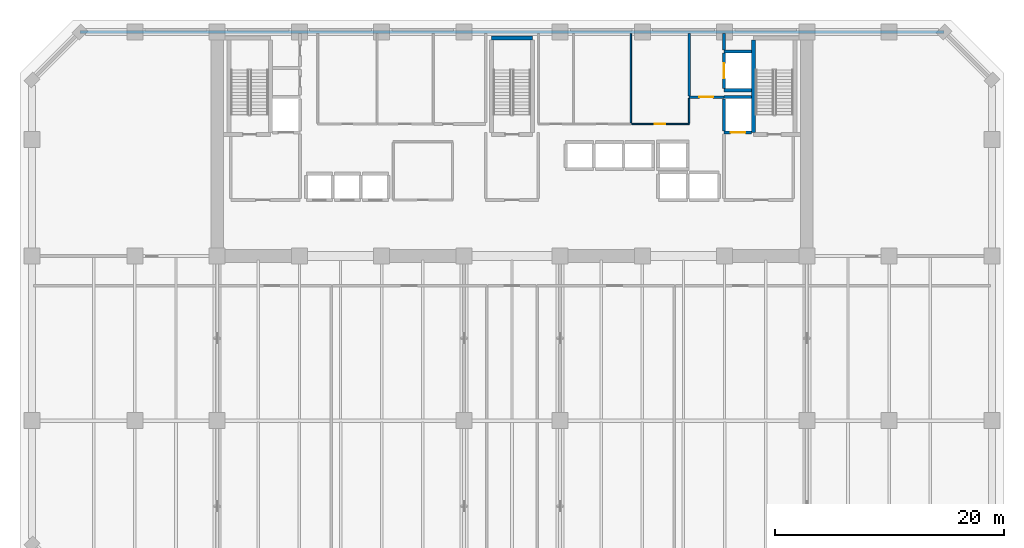
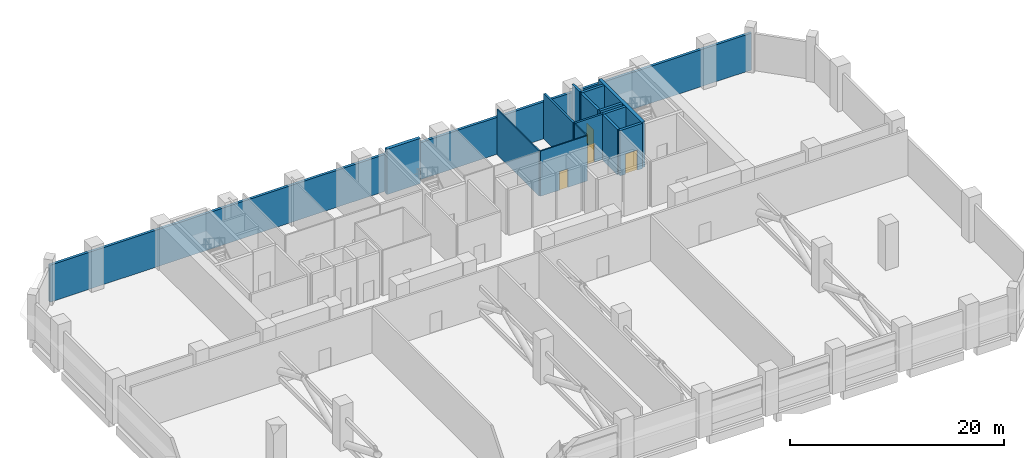
# One storey, part 10 of 15: 15 walls, 4 doors, 4 openings.
"""IFC4 building model written with IfcOpenShell, lengths in metres."""

import ifcopenshell
import ifcopenshell.guid

model = None  # the IFC model being written
_history = None  # IfcOwnerHistory: only IFC2X3 demands one
_inside = {}  # id of a spatial element -> (the spatial element, [elements in it])
_under = {}  # id of a project, library or spatial element -> (it, [spatial elements below it])
_declared = {}  # id of a project -> (the project, [libraries it declares])
_typed = {}  # id of a type object -> (the type object, [elements of that type])
_made_of = {}  # id of a material, layer set ... -> (it, [elements and type objects made of it])


def new_model(schema):
    """Start an empty IFC model of exactly this schema.

    Asked for "IFC4X3", IfcOpenShell would pick the latest addendum, in which some entities
    have other attributes; the version numbers below select the first issue.
    IFC2X3 requires an IfcOwnerHistory on every rooted entity: one is made here for all.
    """
    global model, _history
    if schema == "IFC4X3":
        model = ifcopenshell.file(schema_version=(4, 3, 0, 0))
    else:
        model = ifcopenshell.file(schema=schema)
    _inside.clear()
    _under.clear()
    _declared.clear()
    _typed.clear()
    _made_of.clear()
    _history = None
    if model.schema == "IFC2X3":
        org = make("IfcOrganization", Name="unknown")
        user = make(
            "IfcPersonAndOrganization",
            ThePerson=make("IfcPerson", FamilyName="unknown"),
            TheOrganization=org,
        )
        app = make(
            "IfcApplication",
            ApplicationDeveloper=org,
            Version="unknown",
            ApplicationFullName="unknown",
            ApplicationIdentifier="unknown",
        )
        _history = make(
            "IfcOwnerHistory",
            OwningUser=user,
            OwningApplication=app,
            ChangeAction="ADDED",
            CreationDate=0,
        )
    return model


def make(cls, **values):
    """One entity of the class cls with the attributes given. An attribute that is None is left unset."""
    return model.create_entity(
        cls, **{name: value for name, value in values.items() if value is not None}
    )


def rooted(cls, **values):
    """An entity with a GlobalId (a new one), such as an element, a storey or a relation."""
    return make(cls, GlobalId=ifcopenshell.guid.new(), OwnerHistory=_history, **values)


def si_unit(unit_type, name, prefix=None):
    """IfcSIUnit, for example si_unit("LENGTHUNIT", "METRE", prefix="MILLI")."""
    return make("IfcSIUnit", UnitType=unit_type, Prefix=prefix, Name=name)


def assignment(units):
    """IfcUnitAssignment: the units of a project."""
    return None if units is None else make("IfcUnitAssignment", Units=units)


def point(xyz):
    """IfcCartesianPoint."""
    return None if xyz is None else make("IfcCartesianPoint", Coordinates=xyz)


def direction(xyz):
    """IfcDirection."""
    return None if xyz is None else make("IfcDirection", DirectionRatios=xyz)


def frame(location, z_axis=None, x_axis=None):
    """IfcAxis2Placement3D, a coordinate frame: its origin and axes. An axis left out is left unset."""
    return make(
        "IfcAxis2Placement3D",
        Location=point(location),
        Axis=direction(z_axis),
        RefDirection=direction(x_axis),
    )


def frame_2d(location, x_axis=None):
    """IfcAxis2Placement2D, a coordinate frame in the plane: its origin and x axis."""
    return make(
        "IfcAxis2Placement2D", Location=point(location), RefDirection=direction(x_axis)
    )


def origin():
    """The frame at (0, 0, 0) with its axes left unset."""
    return frame((0.0, 0.0, 0.0))


def place(relative_to, where):
    """IfcLocalPlacement: puts the frame where relative to a parent placement (None: the world)."""
    return make(
        "IfcLocalPlacement", PlacementRelTo=relative_to, RelativePlacement=where
    )


def context(
    kind, dimensions, precision=None, world=None, true_north=None, identifier=None
):
    """IfcGeometricRepresentationContext, for example the 3D "Model" context."""
    return make(
        "IfcGeometricRepresentationContext",
        ContextIdentifier=identifier,
        ContextType=kind,
        CoordinateSpaceDimension=dimensions,
        Precision=precision,
        WorldCoordinateSystem=world,
        TrueNorth=true_north,
    )


def subcontext(parent, identifier, kind, view, scale=None):
    """IfcGeometricRepresentationSubContext, for example "Body" below "Model"."""
    return make(
        "IfcGeometricRepresentationSubContext",
        ContextIdentifier=identifier,
        ContextType=kind,
        ParentContext=parent,
        TargetScale=scale,
        TargetView=view,
    )


def project(units=None, contexts=None):
    """IfcProject with its units and contexts."""
    return rooted(
        "IfcProject",
        Name="project",
        RepresentationContexts=contexts,
        UnitsInContext=assignment(units),
    )


def spatial(cls, under=None, at=None, **own):
    """A site, building, storey or space (cls), placed at a placement, below another one or the project."""
    s = rooted(cls, ObjectPlacement=at, **own)
    if under is not None:
        _under.setdefault(under.id(), (under, []))[1].append(s)
    return s


def profile(cls, at=None, kind="AREA", **sizes):
    """A parametric profile (cls). Its sizes go by their IFC names, for example OverallWidth=200.0."""
    return make(cls, ProfileType=kind, Position=at, **sizes)


def rectangle(**sizes):
    """IfcRectangleProfileDef."""
    return profile("IfcRectangleProfileDef", **sizes)


def extrude(swept, where, along, depth):
    """IfcExtrudedAreaSolid: the profile swept, set in the frame where, extruded along a direction by depth."""
    return make(
        "IfcExtrudedAreaSolid",
        SweptArea=swept,
        Position=where,
        ExtrudedDirection=direction(along),
        Depth=depth,
    )


def shape(context_of_items, identifier, shape_type, items):
    """IfcShapeRepresentation: the items that make up one representation, for example the "Body"."""
    return make(
        "IfcShapeRepresentation",
        ContextOfItems=context_of_items,
        RepresentationIdentifier=identifier,
        RepresentationType=shape_type,
        Items=items,
    )


def material(Name=None, Category=None):
    """IfcMaterial."""
    return make("IfcMaterial", Name=Name, Category=Category)


def layer(
    of_material, thickness, ventilated=None, Name=None, Category=None, Priority=None
):
    """IfcMaterialLayer: one layer of a wall or slab, of a material (None: an air gap)."""
    return make(
        "IfcMaterialLayer",
        Material=of_material,
        LayerThickness=thickness,
        IsVentilated=ventilated,
        Name=Name,
        Category=Category,
        Priority=Priority,
    )


def layer_set(layers, Name=None):
    """IfcMaterialLayerSet."""
    return make("IfcMaterialLayerSet", MaterialLayers=layers, LayerSetName=Name)


def made_of(thing, what):
    """Note that an element or type object is made of a material, layer set ...; save() writes the relation."""
    if what is not None:
        _made_of.setdefault(what.id(), (what, []))[1].append(thing)
    return thing


def type_object(cls, material=None, **own):
    """A type object (cls), such as IfcWallType, which elements share."""
    return made_of(rooted(cls, **own), material)


def element(
    cls,
    number,
    at=None,
    inside=None,
    cuts=None,
    type_object=None,
    material=None,
    context=None,
    identifier="Body",
    shape_type=None,
    held_by="IfcProductDefinitionShape",
    body=None,
    shapes=None,
    **own,
):
    """One element of the class cls, such as IfcWall. Its Tag is "e" and its number.

    at: its placement. inside: the storey or other place that contains it. cuts: it is an
    opening in that element (IfcRelVoidsElement). A single representation is given by context,
    identifier, shape_type and body (its items); several are given by shapes. held_by: the class
    of the entity that holds the representations. save() writes the other relations.
    """
    e = rooted(cls, Tag="e%d" % number, ObjectPlacement=at, **own)
    if body is not None:
        shapes = [shape(context, identifier, shape_type, body)]
    if shapes is not None:
        e.Representation = make(held_by, Representations=shapes)
    if inside is not None:
        _inside.setdefault(inside.id(), (inside, []))[1].append(e)
    if cuts is not None:
        rooted(
            "IfcRelVoidsElement", RelatingBuildingElement=cuts, RelatedOpeningElement=e
        )
    if type_object is not None:
        _typed.setdefault(type_object.id(), (type_object, []))[1].append(e)
    return made_of(e, material)


def fill(opening, filler):
    """IfcRelFillsElement: the door or window that sits in an opening."""
    return rooted(
        "IfcRelFillsElement",
        RelatingOpeningElement=opening,
        RelatedBuildingElement=filler,
    )


def aggregate(whole, parts):
    """IfcRelAggregates: a whole, such as a stair, and the parts it consists of."""
    return rooted("IfcRelAggregates", RelatingObject=whole, RelatedObjects=parts)


def save(model, path):
    """Write the relations noted so far, then the file.

    IfcRelAggregates (storeys below a building ...), IfcRelContainedInSpatialStructure (elements
    in a storey), IfcRelDefinesByType, IfcRelAssociatesMaterial and IfcRelDeclares: one each for
    every whole, place, type object, material and project.
    """
    for whole, parts in _under.values():
        aggregate(whole, parts)
    for where, things in _inside.values():
        rooted(
            "IfcRelContainedInSpatialStructure",
            RelatedElements=things,
            RelatingStructure=where,
        )
    for kind, things in _typed.values():
        rooted("IfcRelDefinesByType", RelatedObjects=things, RelatingType=kind)
    for what, things in _made_of.values():
        rooted("IfcRelAssociatesMaterial", RelatedObjects=things, RelatingMaterial=what)
    for by, libraries in _declared.values():
        rooted("IfcRelDeclares", RelatingContext=by, RelatedDefinitions=libraries)
    model.write(path)


model = new_model("IFC4")

# Units and contexts
model_context = context("Model", 3, precision=1e-05, world=origin(), true_north=direction((0.0, 1.0)))
body_context = subcontext(model_context, "Body", "Model", "MODEL_VIEW")
ifc_project = project(units=[si_unit("LENGTHUNIT", "METRE"), si_unit("AREAUNIT", "SQUARE_METRE"), si_unit("VOLUMEUNIT", "CUBIC_METRE"), si_unit("PLANEANGLEUNIT", "RADIAN"), si_unit("MASSUNIT", "GRAM", prefix="KILO")], contexts=[model_context])

# Site, building, storey
site_placement = place(None, origin())
site = spatial("IfcSite", under=ifc_project, at=site_placement, CompositionType="ELEMENT")
building_placement = place(site_placement, origin())
building = spatial("IfcBuilding", under=site, at=building_placement, Name="Kaelvorn Grand Hotel", CompositionType="ELEMENT")
storey_placement = place(building_placement, frame((0.0, 0.0, 80.14990234375)))
storey = spatial("IfcBuildingStorey", under=building, at=storey_placement, Name="L18", CompositionType="ELEMENT", Elevation=80.14990234375)

# Walls
ifc_material_1 = material(Name="Concrete C40/50", Category="concrete")
ifc_layer_1 = layer(ifc_material_1, 0.280029296875)
ifc_layer_set_1 = layer_set([ifc_layer_1], Name="Concrete C40/50")
wall_type_1 = type_object("IfcWallType", Name="WL-EXT-280-C40", PredefinedType="SOLIDWALL", material=ifc_layer_set_1)
wall_1_placement = place(storey_placement, frame((79.800048828125, 49.0, 0.0), z_axis=(0.0, 0.0, 1.0), x_axis=(-1.0, 0.0, 0.0)))
element("IfcWall", 1, at=wall_1_placement, inside=storey, type_object=wall_type_1, Name="L18 Exterior Architectural Concrete Wall 05", PredefinedType="SOLIDWALL", context=body_context, shape_type="SweptSolid", body=[
    extrude(rectangle(XDim=75.60009765625, YDim=0.280029296875, at=frame_2d((37.800048828125, 0.0))), origin(), (0.0, 0.0, 1.0), 4.210205078125),
])
ifc_material_2 = material(Name="Moisture-Resistant Tile & Stud Board")
ifc_layer_2 = layer(ifc_material_2, 0.125)
ifc_layer_set_2 = layer_set([ifc_layer_2], Name="Moisture-Resistant Tile & Stud Board")
wall_type_2 = type_object("IfcWallType", Name="WL-PART-125-WET", PredefinedType="PARTITIONING", material=ifc_layer_set_2)
wall_2_placement = place(storey_placement, frame((52.39990234375, 41.017578125, 0.0), z_axis=(0.0, 0.0, 1.0), x_axis=(0.0, 1.0, 0.0)))
element("IfcWall", 2, at=wall_2_placement, inside=storey, type_object=wall_type_2, Name="L18 Male Staff & Guest Toilets E Partition", PredefinedType="PARTITIONING", context=body_context, shape_type="SweptSolid", body=[
    extrude(rectangle(XDim=7.83251953125, YDim=0.125, at=frame_2d((3.916259765625, 0.0))), origin(), (0.0, 0.0, 1.0), 5.16015625),
])

# Wall, opening, door
wall_3_placement = place(storey_placement, frame((52.467529296875, 40.949951171875, 0.0), z_axis=(0.0, 0.0, 1.0), x_axis=(1.0, 0.0, 0.0)))
wall_3 = element("IfcWall", 3, at=wall_3_placement, inside=storey, type_object=wall_type_2, Name="L18 Female Staff & Guest Toilets S Partition", PredefinedType="PARTITIONING", context=body_context, shape_type="SweptSolid", body=[
    extrude(rectangle(XDim=5.032470703125, YDim=0.125, at=frame_2d((2.51611328125, 0.0))), origin(), (0.0, 0.0, 1.0), 5.16015625),
])
opening_1_placement = place(wall_3_placement, frame((2.032470703125, 0.0, 0.0)))
opening_1 = element("IfcOpeningElement", 4, at=opening_1_placement, cuts=wall_3, Name="Opening DI4", PredefinedType="OPENING", context=body_context, shape_type="SweptSolid", body=[
    extrude(rectangle(XDim=0.89990234375, YDim=2.10009765625, at=frame_2d((0.449951171875, 1.050048828125))), frame((0.0, 0.072509765625, 0.0), z_axis=(0.0, -1.0, 0.0), x_axis=(1.0, 0.0, 0.0)), (0.0, 0.0, 1.0), 0.14501953125),
])
ifc_material_3 = material(Name="Timber Veneer Leaf", Category="wood")
door_type_1 = type_object("IfcDoorType", Name="DR-INT-BATH-900x2100", OperationType="NOTDEFINED", PredefinedType="DOOR", material=ifc_material_3)
door_1_placement = place(opening_1_placement, origin())
door_1 = element("IfcDoor", 5, at=door_1_placement, inside=storey, type_object=door_type_1, Name="L18 Female Staff & Guest Toilets Door", OperationType="SINGLE_SWING_RIGHT", OverallHeight=2.10009765625, OverallWidth=0.89990234375, PredefinedType="DOOR", context=body_context, shape_type="SweptSolid", body=[
    extrude(rectangle(XDim=0.89990234375, YDim=2.10009765625, at=frame_2d((0.449951171875, 1.050048828125))), frame((0.0, 0.02490234375, 0.0), z_axis=(0.0, -1.0, 0.0), x_axis=(1.0, 0.0, 0.0)), (0.0, 0.0, 1.0), 0.050048828125),
])
fill(opening_1, door_1)

# Wall
wall_4_placement = place(storey_placement, frame((57.5, 41.017578125, 0.0), z_axis=(0.0, 0.0, 1.0), x_axis=(0.0, 1.0, 0.0)))
element("IfcWall", 6, at=wall_4_placement, inside=storey, type_object=wall_type_2, Name="L18 Female Staff & Guest Toilets E Partition", PredefinedType="PARTITIONING", context=body_context, shape_type="SweptSolid", body=[
    extrude(rectangle(XDim=2.16748046875, YDim=0.125, at=frame_2d((1.083740234375, 0.0))), origin(), (0.0, 0.0, 1.0), 5.16015625),
])

# Wall, opening, door
ifc_layer_3 = layer(ifc_material_1, 0.219970703125)
ifc_layer_set_3 = layer_set([ifc_layer_3], Name="Concrete C40/50")
wall_type_3 = type_object("IfcWallType", Name="WL-PART-220-EI120", PredefinedType="PARTITIONING", material=ifc_layer_set_3)
wall_5_placement = place(storey_placement, frame((57.5, 43.300048828125, 0.0), z_axis=(0.0, 0.0, 1.0), x_axis=(1.0, 0.0, 0.0)))
wall_5 = element("IfcWall", 7, at=wall_5_placement, inside=storey, type_object=wall_type_3, Name="L18 Service Lift Lobby S Partition", PredefinedType="PARTITIONING", context=body_context, shape_type="SweptSolid", body=[
    extrude(rectangle(XDim=3.0400390625, YDim=0.219970703125, at=frame_2d((1.52001953125, 0.0))), origin(), (0.0, 0.0, 1.0), 5.16015625),
])
opening_2_placement = place(wall_5_placement, frame((0.89990234375, 0.0, 0.0)))
opening_2 = element("IfcOpeningElement", 8, at=opening_2_placement, cuts=wall_5, Name="Opening DI2", PredefinedType="OPENING", context=body_context, shape_type="SweptSolid", body=[
    extrude(rectangle(XDim=1.199951171875, YDim=2.14990234375, at=frame_2d((0.60009765625, 1.074951171875))), frame((0.0, 0.1201171875, 0.0), z_axis=(0.0, -1.0, 0.0), x_axis=(1.0, 0.0, 0.0)), (0.0, 0.0, 1.0), 0.239990234375),
])
ifc_material_4 = material(Name="Timber Veneer Fire Leaf", Category="wood")
door_type_2 = type_object("IfcDoorType", Name="DR-INT-FFLOB-1200x2150", OperationType="NOTDEFINED", PredefinedType="DOOR", material=ifc_material_4)
door_2_placement = place(opening_2_placement, origin())
door_2 = element("IfcDoor", 9, at=door_2_placement, inside=storey, type_object=door_type_2, Name="L18 Service Lift Lobby Door", OperationType="SINGLE_SWING_LEFT", OverallHeight=2.14990234375, OverallWidth=1.199951171875, PredefinedType="DOOR", context=body_context, shape_type="SweptSolid", body=[
    extrude(rectangle(XDim=1.199951171875, YDim=2.14990234375, at=frame_2d((0.60009765625, 1.074951171875))), frame((0.0, 0.02490234375, 0.0), z_axis=(0.0, -1.0, 0.0), x_axis=(1.0, 0.0, 0.0)), (0.0, 0.0, 1.0), 0.050048828125),
])
fill(opening_2, door_2)

# Walls
wall_6_placement = place(storey_placement, frame((57.5, 43.4150390625, 0.0), z_axis=(0.0, 0.0, 1.0), x_axis=(0.0, 1.0, 0.0)))
element("IfcWall", 10, at=wall_6_placement, inside=storey, type_object=wall_type_3, Name="L18 Service Lift Lobby W Partition", PredefinedType="PARTITIONING", context=body_context, shape_type="SweptSolid", body=[
    extrude(rectangle(XDim=5.43505859375, YDim=0.219970703125, at=frame_2d((2.717529296875, 0.0))), origin(), (0.0, 0.0, 1.0), 5.16015625),
])
wall_7_placement = place(storey_placement, frame((60.550048828125, 47.445068359375, 0.0), z_axis=(0.0, 0.0, 1.0), x_axis=(0.0, 1.0, 0.0)))
element("IfcWall", 11, at=wall_7_placement, inside=storey, type_object=wall_type_3, Name="L18 Service Lift Lobby E Partition", PredefinedType="PARTITIONING", context=body_context, shape_type="SweptSolid", body=[
    extrude(rectangle(XDim=1.405029296875, YDim=0.219970703125, at=frame_2d((0.70263671875, 0.0))), origin(), (0.0, 0.0, 1.0), 5.16015625),
])

# Wall, opening, door
ifc_material_5 = material(Name="Concrete C50/60", Category="concrete")
ifc_layer_4 = layer(ifc_material_5, 0.280029296875)
ifc_layer_set_4 = layer_set([ifc_layer_4], Name="Concrete C50/60")
wall_type_4 = type_object("IfcWallType", Name="WL-SHAFT-280-C50", PredefinedType="SHEAR", material=ifc_layer_set_4)
wall_8_placement = place(storey_placement, frame((60.550048828125, 40.199951171875, 0.0), z_axis=(0.0, 0.0, 1.0), x_axis=(1.0, 0.0, 0.0)))
wall_8 = element("IfcWall", 12, at=wall_8_placement, inside=storey, type_object=wall_type_4, Name="L18 Lift FFL2 Shaft South Wall", PredefinedType="SHEAR", context=body_context, shape_type="SweptSolid", body=[
    extrude(rectangle(XDim=2.4150390625, YDim=0.280029296875, at=frame_2d((1.20751953125, 0.0))), origin(), (0.0, 0.0, 1.0), 5.16015625),
])
opening_3_placement = place(wall_8_placement, frame((0.574951171875, 0.0, 0.0)))
opening_3 = element("IfcOpeningElement", 13, at=opening_3_placement, cuts=wall_8, Name="Opening LD-FFL2", PredefinedType="OPENING", context=body_context, shape_type="SweptSolid", body=[
    extrude(rectangle(XDim=1.300048828125, YDim=2.300048828125, at=frame_2d((0.64990234375, 1.14990234375))), frame((0.0, 0.14990234375, 0.0), z_axis=(0.0, -1.0, 0.0), x_axis=(1.0, 0.0, 0.0)), (0.0, 0.0, 1.0), 0.300048828125),
])
ifc_material_6 = material(Name="Stainless Steel", Category="steel")
door_type_3 = type_object("IfcDoorType", Name="DR-LIFT-SERV-1300x2300", OperationType="DOUBLE_DOOR_SLIDING", PredefinedType="DOOR", material=ifc_material_6)
door_3_placement = place(opening_3_placement, origin())
door_3 = element("IfcDoor", 14, at=door_3_placement, inside=storey, type_object=door_type_3, Name="L18 Lift FFL2 Sliding Landing Door LD-FFL2", OperationType="DOUBLE_DOOR_SLIDING", OverallHeight=2.300048828125, OverallWidth=1.300048828125, PredefinedType="DOOR", context=body_context, shape_type="SweptSolid", body=[
    extrude(rectangle(XDim=1.300048828125, YDim=2.300048828125, at=frame_2d((0.64990234375, 1.14990234375))), frame((0.0, 0.02490234375, 0.0), z_axis=(0.0, -1.0, 0.0), x_axis=(1.0, 0.0, 0.0)), (0.0, 0.0, 1.0), 0.050048828125),
])
fill(opening_3, door_3)

# Walls
wall_9_placement = place(storey_placement, frame((60.550048828125, 43.300048828125, 0.0), z_axis=(0.0, 0.0, 1.0), x_axis=(1.0, 0.0, 0.0)))
element("IfcWall", 15, at=wall_9_placement, inside=storey, type_object=wall_type_4, Name="L18 Lift FFL2 Shaft North Wall", PredefinedType="SHEAR", context=body_context, shape_type="SweptSolid", body=[
    extrude(rectangle(XDim=2.4150390625, YDim=0.280029296875, at=frame_2d((1.20751953125, 0.0))), origin(), (0.0, 0.0, 1.0), 5.16015625),
])
wall_10_placement = place(storey_placement, frame((60.550048828125, 40.344970703125, 0.0), z_axis=(0.0, 0.0, 1.0), x_axis=(0.0, 1.0, 0.0)))
element("IfcWall", 16, at=wall_10_placement, inside=storey, type_object=wall_type_4, Name="L18 Lift FFL2 Shaft West Wall", PredefinedType="SHEAR", context=body_context, shape_type="SweptSolid", body=[
    extrude(rectangle(XDim=2.81005859375, YDim=0.280029296875, at=frame_2d((1.405029296875, 0.0))), origin(), (0.0, 0.0, 1.0), 5.16015625),
])
for number, where, z_axis, x_axis, name in (
    (17, (60.550048828125, 43.89990234375, 0.0), (0.0, 0.0, 1.0), (1.0, 0.0, 0.0), "L18 Lift SV1 Shaft South Wall"),
    (18, (60.550048828125, 47.300048828125, 0.0), (0.0, 0.0, 1.0), (1.0, 0.0, 0.0), "L18 Lift SV1 Shaft North Wall"),
):
    element("IfcWall", number, at=place(storey_placement, frame(where, z_axis=z_axis, x_axis=x_axis)), inside=storey, type_object=wall_type_4, Name=name, PredefinedType="SHEAR", context=body_context, shape_type="SweptSolid", body=[
        extrude(rectangle(XDim=2.4150390625, YDim=0.280029296875, at=frame_2d((1.20751953125, 0.0))), origin(), (0.0, 0.0, 1.0), 5.16015625),
    ])

# Wall, opening, door
wall_11_placement = place(storey_placement, frame((60.550048828125, 44.044921875, 0.0), z_axis=(0.0, 0.0, 1.0), x_axis=(0.0, 1.0, 0.0)))
wall_11 = element("IfcWall", 19, at=wall_11_placement, inside=storey, type_object=wall_type_4, Name="L18 Lift SV1 Shaft West Wall", PredefinedType="SHEAR", context=body_context, shape_type="SweptSolid", body=[
    extrude(rectangle(XDim=3.110107421875, YDim=0.280029296875, at=frame_2d((1.55517578125, 0.0))), origin(), (0.0, 0.0, 1.0), 5.16015625),
])
opening_4_placement = place(wall_11_placement, frame((0.905029296875, 0.0, 0.0)))
opening_4 = element("IfcOpeningElement", 20, at=opening_4_placement, cuts=wall_11, Name="Opening LD-SV1", PredefinedType="OPENING", context=body_context, shape_type="SweptSolid", body=[
    extrude(rectangle(XDim=1.300048828125, YDim=2.300048828125, at=frame_2d((0.64990234375, 1.14990234375))), frame((0.0, 0.14990234375, 0.0), z_axis=(0.0, -1.0, 0.0), x_axis=(1.0, 0.0, 0.0)), (0.0, 0.0, 1.0), 0.300048828125),
])
door_4_placement = place(opening_4_placement, origin())
door_4 = element("IfcDoor", 21, at=door_4_placement, inside=storey, type_object=door_type_3, Name="L18 Lift SV1 Sliding Landing Door LD-SV1", OperationType="DOUBLE_DOOR_SLIDING", OverallHeight=2.300048828125, OverallWidth=1.300048828125, PredefinedType="DOOR", context=body_context, shape_type="SweptSolid", body=[
    extrude(rectangle(XDim=1.300048828125, YDim=2.300048828125, at=frame_2d((0.64990234375, 1.14990234375))), frame((0.0, 0.02490234375, 0.0), z_axis=(0.0, -1.0, 0.0), x_axis=(1.0, 0.0, 0.0)), (0.0, 0.0, 1.0), 0.050048828125),
])
fill(opening_4, door_4)

# Walls
ifc_material_7 = material(Name="Concrete C60/75", Category="concrete")
ifc_layer_5 = layer(ifc_material_7, 0.35009765625)
ifc_layer_set_5 = layer_set([ifc_layer_5], Name="Concrete C60/75")
wall_type_5 = type_object("IfcWallType", Name="WL-SHAFT-350-C60", PredefinedType="SHEAR", material=ifc_layer_set_5)
wall_12_placement = place(storey_placement, frame((40.18505859375, 48.47509765625, 0.0), z_axis=(0.0, 0.0, 1.0), x_axis=(1.0, 0.0, 0.0)))
element("IfcWall", 22, at=wall_12_placement, inside=storey, type_object=wall_type_5, Name="L18 ST2 Stair Shaft North Wall", PredefinedType="SHEAR", context=body_context, shape_type="SweptSolid", body=[
    extrude(rectangle(XDim=3.6298828125, YDim=0.35009765625, at=frame_2d((1.81494140625, 0.0))), origin(), (0.0, 0.0, 1.0), 5.16015625),
])
wall_13_placement = place(storey_placement, frame((63.14501953125, 40.205078125, 0.0), z_axis=(0.0, 0.0, 1.0), x_axis=(0.0, 1.0, 0.0)))
element("IfcWall", 23, at=wall_13_placement, inside=storey, type_object=wall_type_5, Name="L18 ST3 Stair Shaft West Wall", PredefinedType="SHEAR", context=body_context, shape_type="SweptSolid", body=[
    extrude(rectangle(XDim=8.08984375, YDim=0.35009765625, at=frame_2d((4.044921875, 0.0))), origin(), (0.0, 0.0, 1.0), 5.16015625),
])

save(model, "model.ifc")
